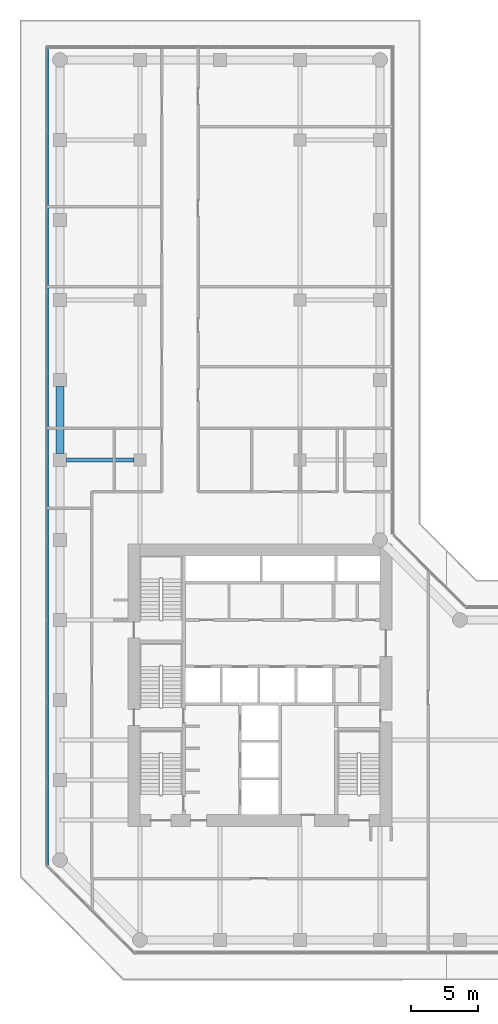
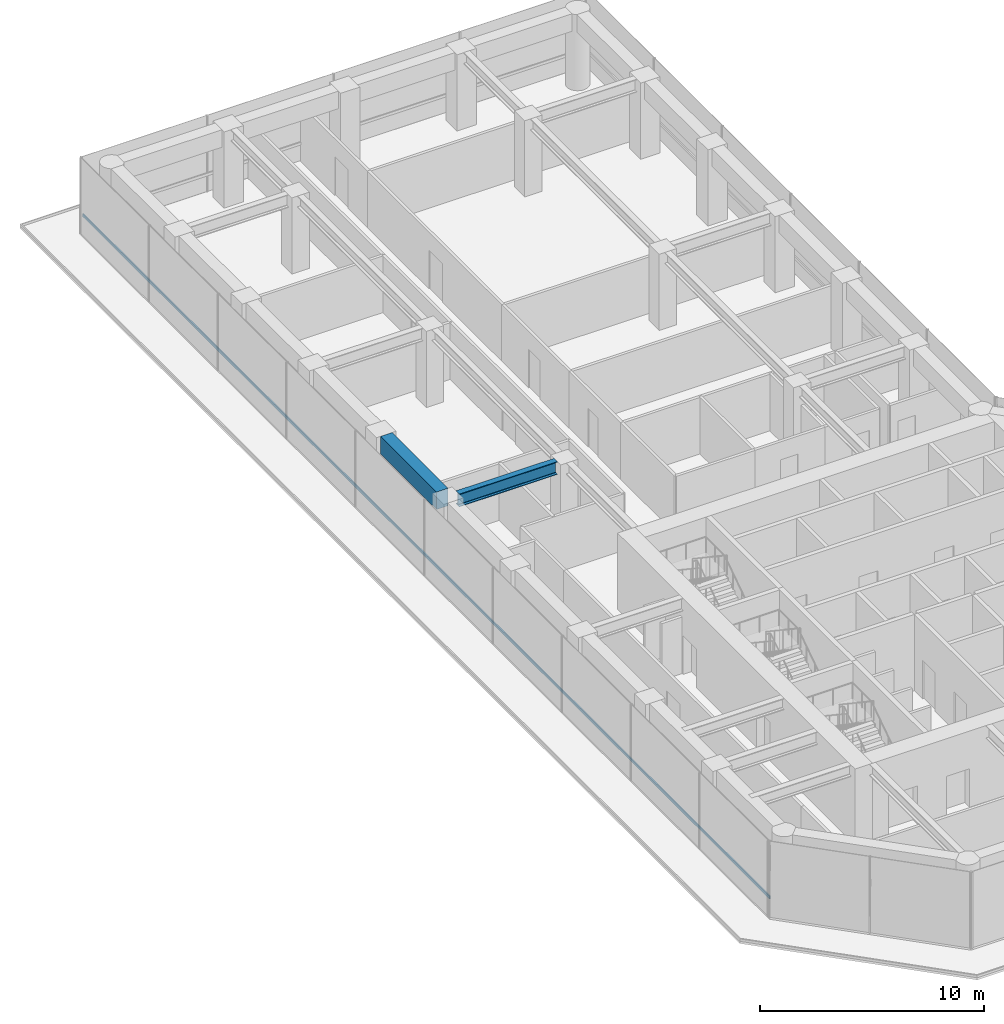
# One storey, part 12 of 24: 2 beams, 1 member, 1 element without a shape of its own.
"""IFC4 building model written with IfcOpenShell, lengths in metres."""

import ifcopenshell
import ifcopenshell.guid

model = None  # the IFC model being written
_history = None  # IfcOwnerHistory: only IFC2X3 demands one
_inside = {}  # id of a spatial element -> (the spatial element, [elements in it])
_under = {}  # id of a project, library or spatial element -> (it, [spatial elements below it])
_declared = {}  # id of a project -> (the project, [libraries it declares])
_typed = {}  # id of a type object -> (the type object, [elements of that type])
_made_of = {}  # id of a material, layer set ... -> (it, [elements and type objects made of it])


def new_model(schema):
    """Start an empty IFC model of exactly this schema.

    Asked for "IFC4X3", IfcOpenShell would pick the latest addendum, in which some entities
    have other attributes; the version numbers below select the first issue.
    IFC2X3 requires an IfcOwnerHistory on every rooted entity: one is made here for all.
    """
    global model, _history
    if schema == "IFC4X3":
        model = ifcopenshell.file(schema_version=(4, 3, 0, 0))
    else:
        model = ifcopenshell.file(schema=schema)
    _inside.clear()
    _under.clear()
    _declared.clear()
    _typed.clear()
    _made_of.clear()
    _history = None
    if model.schema == "IFC2X3":
        org = make("IfcOrganization", Name="unknown")
        user = make(
            "IfcPersonAndOrganization",
            ThePerson=make("IfcPerson", FamilyName="unknown"),
            TheOrganization=org,
        )
        app = make(
            "IfcApplication",
            ApplicationDeveloper=org,
            Version="unknown",
            ApplicationFullName="unknown",
            ApplicationIdentifier="unknown",
        )
        _history = make(
            "IfcOwnerHistory",
            OwningUser=user,
            OwningApplication=app,
            ChangeAction="ADDED",
            CreationDate=0,
        )
    return model


def make(cls, **values):
    """One entity of the class cls with the attributes given. An attribute that is None is left unset."""
    return model.create_entity(
        cls, **{name: value for name, value in values.items() if value is not None}
    )


def rooted(cls, **values):
    """An entity with a GlobalId (a new one), such as an element, a storey or a relation."""
    return make(cls, GlobalId=ifcopenshell.guid.new(), OwnerHistory=_history, **values)


def si_unit(unit_type, name, prefix=None):
    """IfcSIUnit, for example si_unit("LENGTHUNIT", "METRE", prefix="MILLI")."""
    return make("IfcSIUnit", UnitType=unit_type, Prefix=prefix, Name=name)


def assignment(units):
    """IfcUnitAssignment: the units of a project."""
    return None if units is None else make("IfcUnitAssignment", Units=units)


def point(xyz):
    """IfcCartesianPoint."""
    return None if xyz is None else make("IfcCartesianPoint", Coordinates=xyz)


def direction(xyz):
    """IfcDirection."""
    return None if xyz is None else make("IfcDirection", DirectionRatios=xyz)


def frame(location, z_axis=None, x_axis=None):
    """IfcAxis2Placement3D, a coordinate frame: its origin and axes. An axis left out is left unset."""
    return make(
        "IfcAxis2Placement3D",
        Location=point(location),
        Axis=direction(z_axis),
        RefDirection=direction(x_axis),
    )


def frame_2d(location, x_axis=None):
    """IfcAxis2Placement2D, a coordinate frame in the plane: its origin and x axis."""
    return make(
        "IfcAxis2Placement2D", Location=point(location), RefDirection=direction(x_axis)
    )


def origin():
    """The frame at (0, 0, 0) with its axes left unset."""
    return frame((0.0, 0.0, 0.0))


def origin_2d():
    """The frame at (0, 0) in the plane with its x axis left unset."""
    return frame_2d((0.0, 0.0))


def place(relative_to, where):
    """IfcLocalPlacement: puts the frame where relative to a parent placement (None: the world)."""
    return make(
        "IfcLocalPlacement", PlacementRelTo=relative_to, RelativePlacement=where
    )


def context(
    kind, dimensions, precision=None, world=None, true_north=None, identifier=None
):
    """IfcGeometricRepresentationContext, for example the 3D "Model" context."""
    return make(
        "IfcGeometricRepresentationContext",
        ContextIdentifier=identifier,
        ContextType=kind,
        CoordinateSpaceDimension=dimensions,
        Precision=precision,
        WorldCoordinateSystem=world,
        TrueNorth=true_north,
    )


def subcontext(parent, identifier, kind, view, scale=None):
    """IfcGeometricRepresentationSubContext, for example "Body" below "Model"."""
    return make(
        "IfcGeometricRepresentationSubContext",
        ContextIdentifier=identifier,
        ContextType=kind,
        ParentContext=parent,
        TargetScale=scale,
        TargetView=view,
    )


def project(units=None, contexts=None):
    """IfcProject with its units and contexts."""
    return rooted(
        "IfcProject",
        Name="project",
        RepresentationContexts=contexts,
        UnitsInContext=assignment(units),
    )


def spatial(cls, under=None, at=None, **own):
    """A site, building, storey or space (cls), placed at a placement, below another one or the project."""
    s = rooted(cls, ObjectPlacement=at, **own)
    if under is not None:
        _under.setdefault(under.id(), (under, []))[1].append(s)
    return s


def profile(cls, at=None, kind="AREA", **sizes):
    """A parametric profile (cls). Its sizes go by their IFC names, for example OverallWidth=200.0."""
    return make(cls, ProfileType=kind, Position=at, **sizes)


def rectangle(**sizes):
    """IfcRectangleProfileDef."""
    return profile("IfcRectangleProfileDef", **sizes)


def i_section(**sizes):
    """IfcIShapeProfileDef."""
    return profile("IfcIShapeProfileDef", **sizes)


def extrude(swept, where, along, depth):
    """IfcExtrudedAreaSolid: the profile swept, set in the frame where, extruded along a direction by depth."""
    return make(
        "IfcExtrudedAreaSolid",
        SweptArea=swept,
        Position=where,
        ExtrudedDirection=direction(along),
        Depth=depth,
    )


def shape(context_of_items, identifier, shape_type, items):
    """IfcShapeRepresentation: the items that make up one representation, for example the "Body"."""
    return make(
        "IfcShapeRepresentation",
        ContextOfItems=context_of_items,
        RepresentationIdentifier=identifier,
        RepresentationType=shape_type,
        Items=items,
    )


def material(Name=None, Category=None):
    """IfcMaterial."""
    return make("IfcMaterial", Name=Name, Category=Category)


def layer(
    of_material, thickness, ventilated=None, Name=None, Category=None, Priority=None
):
    """IfcMaterialLayer: one layer of a wall or slab, of a material (None: an air gap)."""
    return make(
        "IfcMaterialLayer",
        Material=of_material,
        LayerThickness=thickness,
        IsVentilated=ventilated,
        Name=Name,
        Category=Category,
        Priority=Priority,
    )


def layer_set(layers, Name=None):
    """IfcMaterialLayerSet."""
    return make("IfcMaterialLayerSet", MaterialLayers=layers, LayerSetName=Name)


def material_profile(
    of_material, cross_section, Name=None, Category=None, Priority=None
):
    """IfcMaterialProfile: a cross section and its material."""
    return make(
        "IfcMaterialProfile",
        Name=Name,
        Material=of_material,
        Profile=cross_section,
        Priority=Priority,
        Category=Category,
    )


def profile_set(profiles, Name=None, composite=None):
    """IfcMaterialProfileSet."""
    return make(
        "IfcMaterialProfileSet",
        Name=Name,
        MaterialProfiles=profiles,
        CompositeProfile=composite,
    )


def made_of(thing, what):
    """Note that an element or type object is made of a material, layer set ...; save() writes the relation."""
    if what is not None:
        _made_of.setdefault(what.id(), (what, []))[1].append(thing)
    return thing


def type_object(cls, material=None, **own):
    """A type object (cls), such as IfcWallType, which elements share."""
    return made_of(rooted(cls, **own), material)


def element(
    cls,
    number,
    at=None,
    inside=None,
    cuts=None,
    type_object=None,
    material=None,
    context=None,
    identifier="Body",
    shape_type=None,
    held_by="IfcProductDefinitionShape",
    body=None,
    shapes=None,
    **own,
):
    """One element of the class cls, such as IfcWall. Its Tag is "e" and its number.

    at: its placement. inside: the storey or other place that contains it. cuts: it is an
    opening in that element (IfcRelVoidsElement). A single representation is given by context,
    identifier, shape_type and body (its items); several are given by shapes. held_by: the class
    of the entity that holds the representations. save() writes the other relations.
    """
    e = rooted(cls, Tag="e%d" % number, ObjectPlacement=at, **own)
    if body is not None:
        shapes = [shape(context, identifier, shape_type, body)]
    if shapes is not None:
        e.Representation = make(held_by, Representations=shapes)
    if inside is not None:
        _inside.setdefault(inside.id(), (inside, []))[1].append(e)
    if cuts is not None:
        rooted(
            "IfcRelVoidsElement", RelatingBuildingElement=cuts, RelatedOpeningElement=e
        )
    if type_object is not None:
        _typed.setdefault(type_object.id(), (type_object, []))[1].append(e)
    return made_of(e, material)


def aggregate(whole, parts):
    """IfcRelAggregates: a whole, such as a stair, and the parts it consists of."""
    return rooted("IfcRelAggregates", RelatingObject=whole, RelatedObjects=parts)


def save(model, path):
    """Write the relations noted so far, then the file.

    IfcRelAggregates (storeys below a building ...), IfcRelContainedInSpatialStructure (elements
    in a storey), IfcRelDefinesByType, IfcRelAssociatesMaterial and IfcRelDeclares: one each for
    every whole, place, type object, material and project.
    """
    for whole, parts in _under.values():
        aggregate(whole, parts)
    for where, things in _inside.values():
        rooted(
            "IfcRelContainedInSpatialStructure",
            RelatedElements=things,
            RelatingStructure=where,
        )
    for kind, things in _typed.values():
        rooted("IfcRelDefinesByType", RelatedObjects=things, RelatingType=kind)
    for what, things in _made_of.values():
        rooted("IfcRelAssociatesMaterial", RelatedObjects=things, RelatingMaterial=what)
    for by, libraries in _declared.values():
        rooted("IfcRelDeclares", RelatingContext=by, RelatedDefinitions=libraries)
    model.write(path)


model = new_model("IFC4")

# Units and contexts
model_context = context("Model", 3, precision=1e-05, world=origin(), true_north=direction((0.0, 1.0)))
body_context = subcontext(model_context, "Body", "Model", "MODEL_VIEW")
ifc_project = project(units=[si_unit("LENGTHUNIT", "METRE"), si_unit("AREAUNIT", "SQUARE_METRE"), si_unit("VOLUMEUNIT", "CUBIC_METRE"), si_unit("PLANEANGLEUNIT", "RADIAN"), si_unit("MASSUNIT", "GRAM", prefix="KILO")], contexts=[model_context])

# Site, building, storey
site_placement = place(None, origin())
site = spatial("IfcSite", under=ifc_project, at=site_placement, CompositionType="ELEMENT")
building_placement = place(site_placement, origin())
building = spatial("IfcBuilding", under=site, at=building_placement, Name="Welwitschia Terrace Campus", CompositionType="ELEMENT")
storey_placement = place(building_placement, frame((0.0, 0.0, 20.0)))
storey = spatial("IfcBuildingStorey", under=building, at=storey_placement, Name="L04", CompositionType="ELEMENT", Elevation=20.0)

# Beams
ifc_material_1 = material(Name="Steel S355", Category="steel")
ifc_material_profile_1 = material_profile(ifc_material_1, i_section(OverallWidth=0.300048828125, OverallDepth=0.699951171875, WebThickness=0.01708984375, FlangeThickness=0.031982421875, FilletRadius=0.027099609375, at=origin_2d()))
ifc_profile_set_1 = profile_set([ifc_material_profile_1], Name="Steel S355")
beam_type_1 = type_object("IfcBeamType", Name="Primary beam HE 700 B", PredefinedType="BEAM", material=ifc_profile_set_1)
beam_1_placement = place(storey_placement, frame((0.50048828125, 32.0, 3.800048828125), z_axis=(1.0, 0.0, 0.0), x_axis=(0.0, 1.0, 0.0)))
element("IfcBeam", 1, at=beam_1_placement, inside=storey, type_object=beam_type_1, Name="Primary beam PB1", PredefinedType="BEAM", context=body_context, shape_type="SweptSolid", body=[
    extrude(i_section(OverallWidth=0.300048828125, OverallDepth=0.699951171875, WebThickness=0.01708984375, FlangeThickness=0.031982421875, FilletRadius=0.027099609375, at=origin_2d()), origin(), (0.0, 0.0, 1.0), 5.049072265625),
])
ifc_material_2 = material(Name="Concrete C60/75", Category="concrete")
ifc_material_profile_2 = material_profile(ifc_material_2, rectangle(XDim=0.60009765625, YDim=0.949951171875, at=origin_2d()))
ifc_profile_set_2 = profile_set([ifc_material_profile_2], Name="Concrete C60/75")
beam_type_2 = type_object("IfcBeamType", Name="Ring spandrel 600x950", PredefinedType="SPANDREL", material=ifc_profile_set_2)
beam_2_placement = place(storey_placement, frame((0.0, 37.49951171875, 3.675048828125), z_axis=(0.0, -1.0, 0.0), x_axis=(1.0, 0.0, 0.0)))
element("IfcBeam", 2, at=beam_2_placement, inside=storey, type_object=beam_type_2, Name="Spandrel SP1", PredefinedType="SPANDREL", context=body_context, shape_type="SweptSolid", body=[
    extrude(rectangle(XDim=0.60009765625, YDim=0.949951171875, at=origin_2d()), origin(), (0.0, 0.0, 1.0), 4.9990234375),
])

# Curtain wall, member
ifc_material_3 = material(Name="Bronze anodised aluminium", Category="aluminium")
ifc_layer = layer(ifc_material_3, 0.1201171875)
ifc_layer_set = layer_set([ifc_layer], Name="Bronze anodised aluminium")
curtain_wall_type = type_object("IfcCurtainWallType", Name="Curtain wall CW2 tower 6000", PredefinedType="NOTDEFINED", material=ifc_layer_set)
curtain_wall_placement = place(storey_placement, origin())
curtain_wall = element("IfcCurtainWall", 3, at=curtain_wall_placement, inside=storey, type_object=curtain_wall_type, Name="CW L04.9.0", PredefinedType="NOTDEFINED")
ifc_material_4 = material(Name="Bronze anodised aluminium", Category="aluminium")
ifc_material_profile_3 = material_profile(ifc_material_4, rectangle(XDim=0.06005859375, YDim=0.14990234375, at=origin_2d()))
ifc_profile_set_3 = profile_set([ifc_material_profile_3], Name="Bronze anodised aluminium")
member_type = type_object("IfcMemberType", Name="Transom 60x150", PredefinedType="USERDEFINED", material=ifc_profile_set_3)
member_placement = place(storey_placement, frame((-0.929931640625, 62.9599609375, 1.0), z_axis=(0.0, -1.0, 0.0), x_axis=(1.0, 0.0, 0.0)))
member = element("IfcMember", 4, at=member_placement, type_object=member_type, Name="Transom L04.9.0", ObjectType="TRANSOM", PredefinedType="USERDEFINED", context=body_context, shape_type="SweptSolid", body=[
    extrude(rectangle(XDim=0.06005859375, YDim=0.14990234375, at=origin_2d()), origin(), (0.0, 0.0, 1.0), 61.322509765625),
])
aggregate(curtain_wall, [member])

save(model, "model.ifc")
